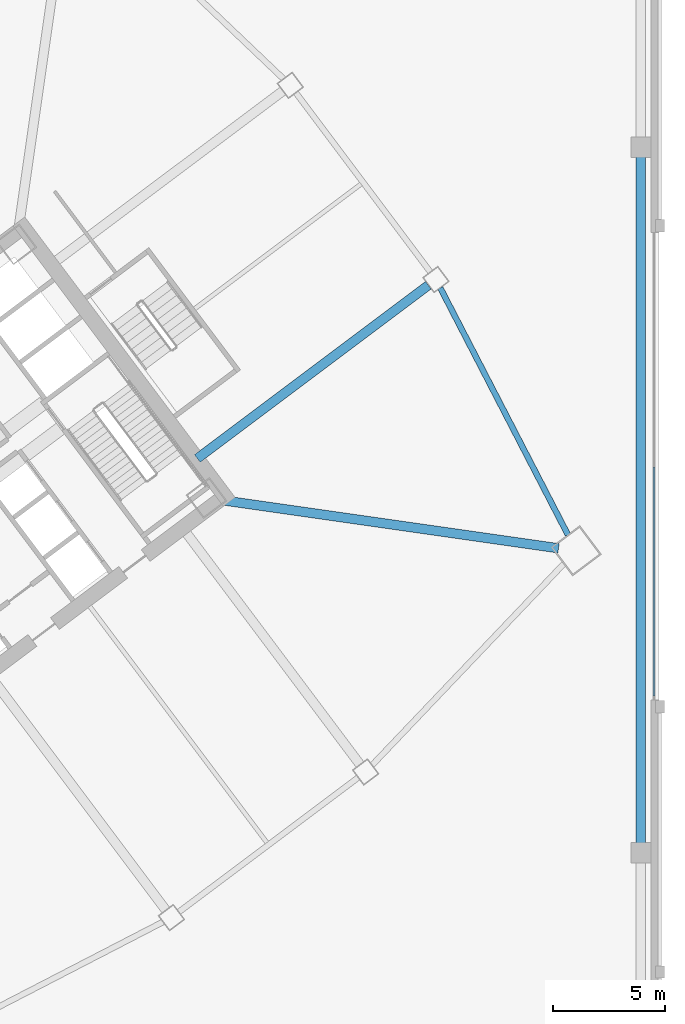
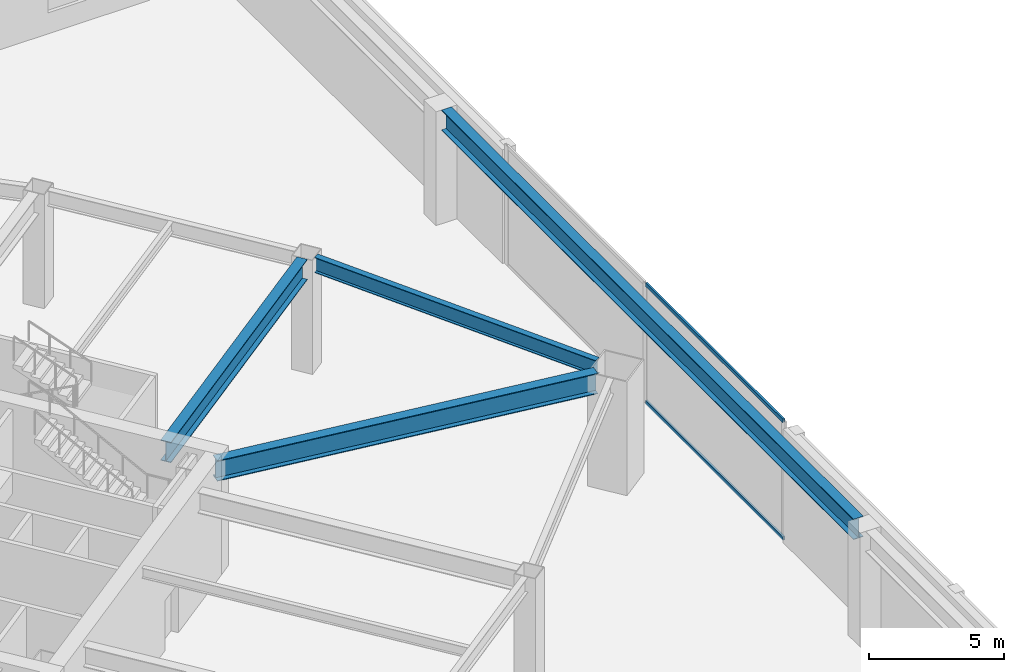
# One storey, part 30 of 48: 4 beams, 2 members, 1 element without a shape of its own.
"""IFC4 building model written with IfcOpenShell, lengths in metres."""

from ifc_helpers import new_model, si_unit, direction, frame, origin, origin_2d, place, context, subcontext, project, spatial, hollow_rectangle, i_section, extrude, material, material_profile, profile_set, type_object, element, aggregate, save


model = new_model("IFC4")

# Units and contexts
model_context = context("Model", 3, precision=1e-05, world=origin(), true_north=direction((0.0, 1.0)))
body_context = subcontext(model_context, "Body", "Model", "MODEL_VIEW")
ifc_project = project(units=[si_unit("LENGTHUNIT", "METRE"), si_unit("AREAUNIT", "SQUARE_METRE"), si_unit("VOLUMEUNIT", "CUBIC_METRE"), si_unit("PLANEANGLEUNIT", "RADIAN"), si_unit("MASSUNIT", "GRAM", prefix="KILO")], contexts=[model_context])

# Site, building, storey
site_placement = place(None, origin())
site = spatial("IfcSite", under=ifc_project, at=site_placement, CompositionType="ELEMENT")
building_placement = place(site_placement, origin())
building = spatial("IfcBuilding", under=site, at=building_placement, Name="Tashvorn Skyway Center", CompositionType="ELEMENT")
storey_placement = place(building_placement, frame((0.0, 0.0, 10.199951171875)))
storey = spatial("IfcBuildingStorey", under=building, at=storey_placement, Name="L02", CompositionType="ELEMENT", Elevation=10.199951171875)

# Beams
ifc_material_1 = material(Name="Steel ASTM A913 Grade 65", Category="steel")
ifc_material_profile_1 = material_profile(ifc_material_1, i_section(OverallWidth=0.4189453125, OverallDepth=0.927001953125, WebThickness=0.019287109375, FlangeThickness=0.031982421875, at=origin_2d()), Name="W36X231")
ifc_profile_set_1 = profile_set([ifc_material_profile_1], Name="Steel ASTM A913 Grade 65")
beam_type_1 = type_object("IfcBeamType", Name="BM-BEAM-W36X231", PredefinedType="BEAM", material=ifc_profile_set_1)
beam_1_placement = place(storey_placement, frame((139.532958984375, 28.3525390625, 4.676513671875), z_axis=(-0.989950458816, 0.141414599991, 0.0), x_axis=(-0.141414599991, -0.989950458816, 0.0)))
element("IfcBeam", 1, at=beam_1_placement, inside=storey, type_object=beam_type_1, Name="Tower 2 L02 Primary Floor Girder MC-SE", PredefinedType="BEAM", context=body_context, shape_type="SweptSolid", body=[
    extrude(i_section(OverallWidth=0.4189453125, OverallDepth=0.927001953125, WebThickness=0.019287109375, FlangeThickness=0.031982421875, at=origin_2d()), origin(), (0.0, 0.0, 1.0), 15.177001953125),
])
beam_2_placement = place(storey_placement, frame((133.743896484375, 40.05810546875, 4.676513671875), z_axis=(-0.799986320265, -0.600018239213, 0.0), x_axis=(0.600018239213, -0.799986320265, 0.0)))
element("IfcBeam", 2, at=beam_2_placement, inside=storey, type_object=beam_type_1, Name="Tower 2 L02 Primary Floor Girder FC-E1", PredefinedType="BEAM", context=body_context, shape_type="SweptSolid", body=[
    extrude(i_section(OverallWidth=0.4189453125, OverallDepth=0.927001953125, WebThickness=0.019287109375, FlangeThickness=0.031982421875, at=origin_2d()), origin(), (0.0, 0.0, 1.0), 12.849853515625),
])
beam_3_placement = place(storey_placement, frame((143.199951171875, 15.2451171875, 4.676513671875), z_axis=(0.0, 1.0, 0.0), x_axis=(-1.0, 0.0, 0.0)))
element("IfcBeam", 3, at=beam_3_placement, inside=storey, type_object=beam_type_1, Name="L02 North-South Podium Girder 06-M", PredefinedType="BEAM", context=body_context, shape_type="SweptSolid", body=[
    extrude(i_section(OverallWidth=0.4189453125, OverallDepth=0.927001953125, WebThickness=0.019287109375, FlangeThickness=0.031982421875, at=origin_2d()), origin(), (0.0, 0.0, 1.0), 30.509765625),
])
ifc_material_2 = material(Name="Steel ASTM A992 Grade 50", Category="steel")
ifc_material_profile_2 = material_profile(ifc_material_2, i_section(OverallWidth=0.256103515625, OverallDepth=0.693115234375, WebThickness=0.014404296875, FlangeThickness=0.023681640625, at=origin_2d()), Name="W27X114")
ifc_profile_set_2 = profile_set([ifc_material_profile_2], Name="Steel ASTM A992 Grade 50")
beam_type_2 = type_object("IfcBeamType", Name="BM-SPANDREL-W27X114", PredefinedType="SPANDREL", material=ifc_profile_set_2)
beam_4_placement = place(storey_placement, frame((139.954833984375, 28.9462890625, 4.79345703125), z_axis=(-0.459233413919, 0.888315637339, 0.0), x_axis=(-0.888315637339, -0.459233413919, 0.0)))
element("IfcBeam", 4, at=beam_4_placement, inside=storey, type_object=beam_type_2, Name="Tower 2 L02 Spandrel Beam 04", PredefinedType="SPANDREL", context=body_context, shape_type="SweptSolid", body=[
    extrude(i_section(OverallWidth=0.256103515625, OverallDepth=0.693115234375, WebThickness=0.014404296875, FlangeThickness=0.023681640625, at=origin_2d()), origin(), (0.0, 0.0, 1.0), 12.37255859375),
])

# Curtain wall, members
ifc_material_3 = material(Name="Thermally broken bronze-anodized aluminium 6063-T6", Category="aluminium")
curtain_wall_type = type_object("IfcCurtainWallType", Name="CW-CW-Z1", PredefinedType="NOTDEFINED", material=ifc_material_3)
curtain_wall_placement = place(storey_placement, origin())
curtain_wall = element("IfcCurtainWall", 5, at=curtain_wall_placement, inside=storey, type_object=curtain_wall_type, Name="L02 East Station Concourse Curtain Wall", PredefinedType="NOTDEFINED")
ifc_material_profile_3 = material_profile(ifc_material_3, hollow_rectangle(XDim=0.0849609375, YDim=0.1650390625, WallThickness=0.0048828125, at=origin_2d()), Name="ALU-TRAN-85x165")
ifc_profile_set_3 = profile_set([ifc_material_profile_3], Name="Thermally broken bronze-anodized aluminium 6063-T6")
member_type = type_object("IfcMemberType", Name="CWT-CW-Z1", PredefinedType="USERDEFINED", material=ifc_profile_set_3)
member_1_placement = place(storey_placement, frame((143.780029296875, 31.95751953125, 0.04248046875), z_axis=(0.0, -1.0, 0.0), x_axis=(1.0, 0.0, 0.0)))
member_1 = element("IfcMember", 6, at=member_1_placement, type_object=member_type, Name="CW-Z1 transom 2.1", ObjectType="TRANSOM", PredefinedType="USERDEFINED", context=body_context, shape_type="SweptSolid", body=[
    extrude(hollow_rectangle(XDim=0.0849609375, YDim=0.1650390625, WallThickness=0.0048828125, at=origin_2d()), origin(), (0.0, 0.0, 1.0), 10.172607421875),
])
member_2_placement = place(storey_placement, frame((143.780029296875, 31.95751953125, 5.357666015625), z_axis=(0.0, -1.0, 0.0), x_axis=(1.0, 0.0, 0.0)))
member_2 = element("IfcMember", 7, at=member_2_placement, type_object=member_type, Name="CW-Z1 transom 2.2", ObjectType="TRANSOM", PredefinedType="USERDEFINED", context=body_context, shape_type="SweptSolid", body=[
    extrude(hollow_rectangle(XDim=0.0849609375, YDim=0.1650390625, WallThickness=0.0048828125, at=origin_2d()), origin(), (0.0, 0.0, 1.0), 10.172607421875),
])
aggregate(curtain_wall, [member_1, member_2])

save(model, "model.ifc")
